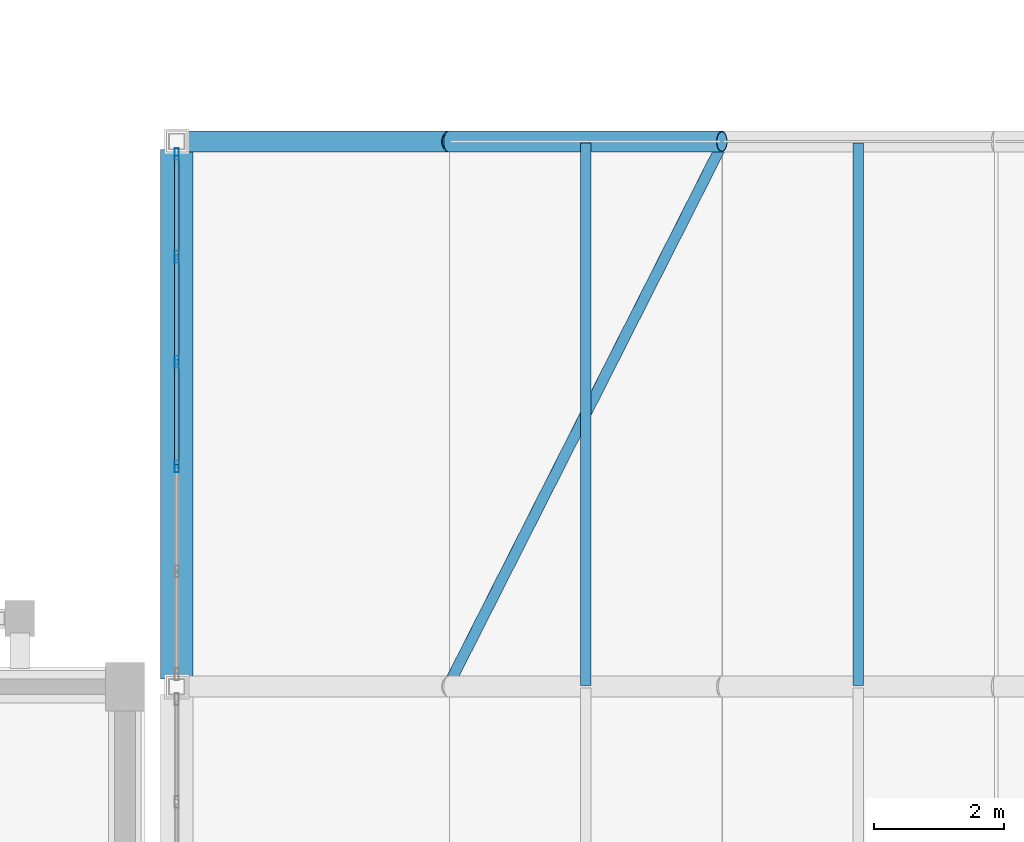
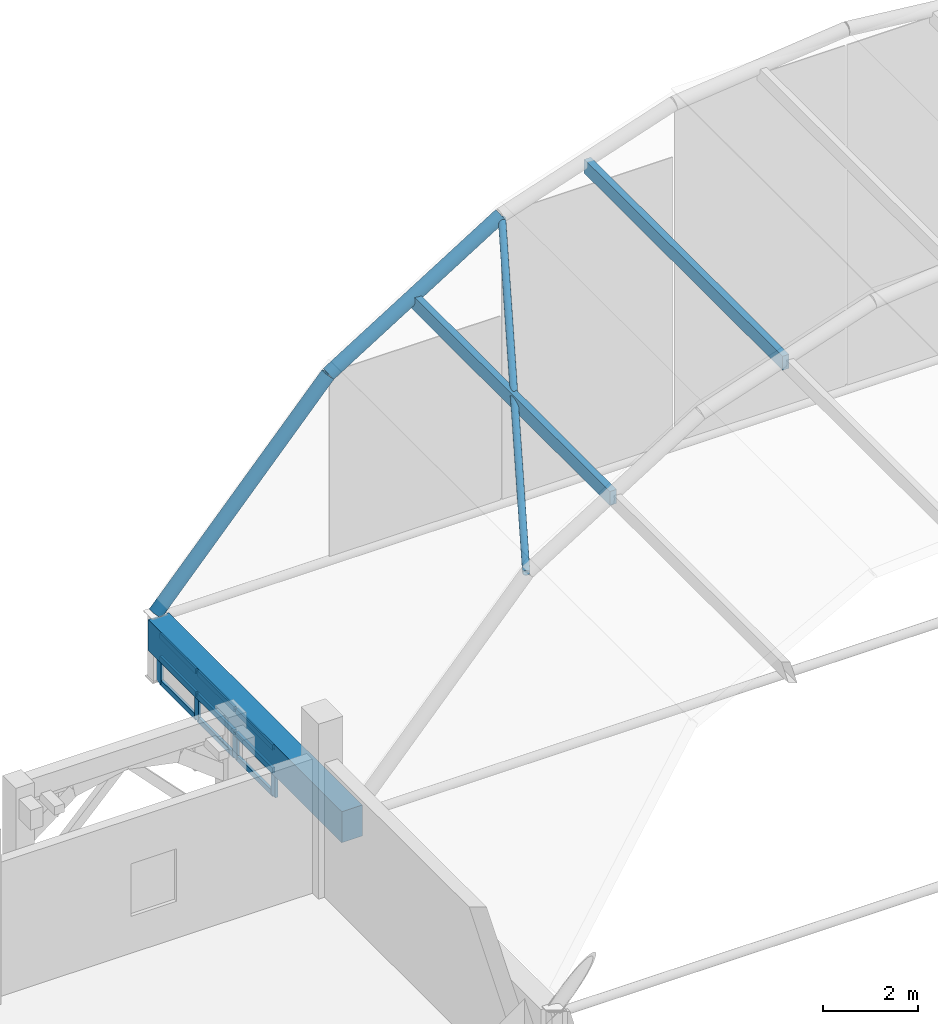
# One storey, part 65 of 114: 16 members, 3 beams, 1 element without a shape of its own.
"""IFC4 building model written with IfcOpenShell, lengths in metres."""

from ifc_helpers import new_model, si_unit, direction, frame, origin, origin_2d, place, context, subcontext, project, spatial, rectangle, hollow_rectangle, hollow_circle, extrude, material, layer, layer_set, material_profile, profile_set, type_object, element, aggregate, save


model = new_model("IFC4")

# Units and contexts
model_context = context("Model", 3, precision=1e-05, world=origin(), true_north=direction((0.0, 1.0)))
body_context = subcontext(model_context, "Body", "Model", "MODEL_VIEW")
ifc_project = project(units=[si_unit("LENGTHUNIT", "METRE"), si_unit("AREAUNIT", "SQUARE_METRE"), si_unit("VOLUMEUNIT", "CUBIC_METRE"), si_unit("PLANEANGLEUNIT", "RADIAN"), si_unit("MASSUNIT", "GRAM", prefix="KILO")], contexts=[model_context])

# Site, building, storey
site_placement = place(None, origin())
site = spatial("IfcSite", under=ifc_project, at=site_placement, CompositionType="ELEMENT")
building_placement = place(site_placement, origin())
building = spatial("IfcBuilding", under=site, at=building_placement, Name="Xazarin Passage Department Store", CompositionType="ELEMENT")
storey_placement = place(building_placement, frame((0.0, 0.0, 14.39990234375)))
storey = spatial("IfcBuildingStorey", under=building, at=storey_placement, Name="L03", CompositionType="ELEMENT", Elevation=14.39990234375)

# Curtain wall, members
ifc_material_1 = material(Name="Bronze anodised aluminium", Category="aluminium")
ifc_layer = layer(ifc_material_1, 0.159912109375)
ifc_layer_set = layer_set([ifc_layer], Name="Bronze anodised aluminium")
curtain_wall_type = type_object("IfcCurtainWallType", Name="ARC-CW-ARC1", PredefinedType="NOTDEFINED", material=ifc_layer_set)
curtain_wall_placement = place(storey_placement, origin())
curtain_wall = element("IfcCurtainWall", 1, at=curtain_wall_placement, inside=storey, type_object=curtain_wall_type, Name="L03 V2N Galleria Clerestory Curtain Wall 5W", PredefinedType="NOTDEFINED")
ifc_material_profile_1 = material_profile(ifc_material_1, hollow_rectangle(XDim=0.06494140625, YDim=0.179931640625, WallThickness=0.00390625, at=origin_2d()), Name="ALU 65x180")
ifc_profile_set_1 = profile_set([ifc_material_profile_1], Name="Bronze anodised aluminium")
member_type_1 = type_object("IfcMemberType", Name="ARC-CWM-65x180", PredefinedType="MULLION", material=ifc_profile_set_1)
member_1_placement = place(storey_placement, frame((68.0, 88.19189453125, 0.0), z_axis=(0.0, 0.0, 1.0), x_axis=(-1.0, 0.0, 0.0)))
member_1 = element("IfcMember", 2, at=member_1_placement, type_object=member_type_1, Name="CW3 mullion 3", PredefinedType="MULLION", context=body_context, shape_type="SweptSolid", body=[
    extrude(hollow_rectangle(XDim=0.06494140625, YDim=0.179931640625, WallThickness=0.00390625, at=origin_2d()), origin(), (0.0, 0.0, 1.0), 1.251708984375),
])
member_2_placement = place(storey_placement, frame((68.0, 89.80810546875, 0.0), z_axis=(0.0, 0.0, 1.0), x_axis=(-1.0, 0.0, 0.0)))
member_2 = element("IfcMember", 3, at=member_2_placement, type_object=member_type_1, Name="CW3 mullion 4", PredefinedType="MULLION", context=body_context, shape_type="SweptSolid", body=[
    extrude(hollow_rectangle(XDim=0.06494140625, YDim=0.179931640625, WallThickness=0.00390625, at=origin_2d()), origin(), (0.0, 0.0, 1.0), 1.251708984375),
])
member_3_placement = place(storey_placement, frame((68.0, 91.424072265625, 0.0), z_axis=(0.0, 0.0, 1.0), x_axis=(-1.0, 0.0, 0.0)))
member_3 = element("IfcMember", 4, at=member_3_placement, type_object=member_type_1, Name="CW3 mullion 5", PredefinedType="MULLION", context=body_context, shape_type="SweptSolid", body=[
    extrude(hollow_rectangle(XDim=0.06494140625, YDim=0.179931640625, WallThickness=0.00390625, at=origin_2d()), origin(), (0.0, 0.0, 1.0), 1.251708984375),
])
member_4_placement = place(storey_placement, frame((68.0, 93.007568359375, 0.0), z_axis=(0.0, 0.0, 1.0), x_axis=(-1.0, 0.0, 0.0)))
member_4 = element("IfcMember", 5, at=member_4_placement, type_object=member_type_1, Name="CW3 mullion 6", PredefinedType="MULLION", context=body_context, shape_type="SweptSolid", body=[
    extrude(hollow_rectangle(XDim=0.06494140625, YDim=0.179931640625, WallThickness=0.00390625, at=origin_2d()), origin(), (0.0, 0.0, 1.0), 1.251708984375),
])
ifc_material_profile_2 = material_profile(ifc_material_1, hollow_rectangle(XDim=0.06494140625, YDim=0.139892578125, WallThickness=0.00390625, at=origin_2d()), Name="ALU 65x140")
ifc_profile_set_2 = profile_set([ifc_material_profile_2], Name="Bronze anodised aluminium")
member_type_2 = type_object("IfcMemberType", Name="ARC-CWT-65x140", PredefinedType="USERDEFINED", material=ifc_profile_set_2)
member_5_placement = place(storey_placement, frame((68.0, 88.224609375, 0.03271484375), z_axis=(0.0, 1.0, 0.0), x_axis=(-1.0, 0.0, 0.0)))
member_5 = element("IfcMember", 6, at=member_5_placement, type_object=member_type_2, Name="CW3 transom 3.1", ObjectType="TRANSOM", PredefinedType="USERDEFINED", context=body_context, shape_type="SweptSolid", body=[
    extrude(hollow_rectangle(XDim=0.06494140625, YDim=0.139892578125, WallThickness=0.00390625, at=origin_2d()), origin(), (0.0, 0.0, 1.0), 1.55078125),
])
member_6_placement = place(storey_placement, frame((68.0, 88.224609375, 0.6259765625), z_axis=(0.0, 1.0, 0.0), x_axis=(-1.0, 0.0, 0.0)))
member_6 = element("IfcMember", 7, at=member_6_placement, type_object=member_type_2, Name="CW3 transom 3.2", ObjectType="TRANSOM", PredefinedType="USERDEFINED", context=body_context, shape_type="SweptSolid", body=[
    extrude(hollow_rectangle(XDim=0.06494140625, YDim=0.139892578125, WallThickness=0.00390625, at=origin_2d()), origin(), (0.0, 0.0, 1.0), 1.55078125),
])
member_7_placement = place(storey_placement, frame((68.0, 88.224609375, 1.21923828125), z_axis=(0.0, 1.0, 0.0), x_axis=(-1.0, 0.0, 0.0)))
member_7 = element("IfcMember", 8, at=member_7_placement, type_object=member_type_2, Name="CW3 transom 3.3", ObjectType="TRANSOM", PredefinedType="USERDEFINED", context=body_context, shape_type="SweptSolid", body=[
    extrude(hollow_rectangle(XDim=0.06494140625, YDim=0.139892578125, WallThickness=0.00390625, at=origin_2d()), origin(), (0.0, 0.0, 1.0), 1.55078125),
])
member_8_placement = place(storey_placement, frame((68.0, 89.840576171875, 0.03271484375), z_axis=(0.0, 1.0, 0.0), x_axis=(-1.0, 0.0, 0.0)))
member_8 = element("IfcMember", 9, at=member_8_placement, type_object=member_type_2, Name="CW3 transom 4.1", ObjectType="TRANSOM", PredefinedType="USERDEFINED", context=body_context, shape_type="SweptSolid", body=[
    extrude(hollow_rectangle(XDim=0.06494140625, YDim=0.139892578125, WallThickness=0.00390625, at=origin_2d()), origin(), (0.0, 0.0, 1.0), 1.551025390625),
])
member_9_placement = place(storey_placement, frame((68.0, 89.840576171875, 0.6259765625), z_axis=(0.0, 1.0, 0.0), x_axis=(-1.0, 0.0, 0.0)))
member_9 = element("IfcMember", 10, at=member_9_placement, type_object=member_type_2, Name="CW3 transom 4.2", ObjectType="TRANSOM", PredefinedType="USERDEFINED", context=body_context, shape_type="SweptSolid", body=[
    extrude(hollow_rectangle(XDim=0.06494140625, YDim=0.139892578125, WallThickness=0.00390625, at=origin_2d()), origin(), (0.0, 0.0, 1.0), 1.551025390625),
])
member_10_placement = place(storey_placement, frame((68.0, 89.840576171875, 1.21923828125), z_axis=(0.0, 1.0, 0.0), x_axis=(-1.0, 0.0, 0.0)))
member_10 = element("IfcMember", 11, at=member_10_placement, type_object=member_type_2, Name="CW3 transom 4.3", ObjectType="TRANSOM", PredefinedType="USERDEFINED", context=body_context, shape_type="SweptSolid", body=[
    extrude(hollow_rectangle(XDim=0.06494140625, YDim=0.139892578125, WallThickness=0.00390625, at=origin_2d()), origin(), (0.0, 0.0, 1.0), 1.551025390625),
])
member_11_placement = place(storey_placement, frame((68.0, 91.45654296875, 0.03271484375), z_axis=(0.0, 1.0, 0.0), x_axis=(-1.0, 0.0, 0.0)))
member_11 = element("IfcMember", 12, at=member_11_placement, type_object=member_type_2, Name="CW3 transom 5.1", ObjectType="TRANSOM", PredefinedType="USERDEFINED", context=body_context, shape_type="SweptSolid", body=[
    extrude(hollow_rectangle(XDim=0.06494140625, YDim=0.139892578125, WallThickness=0.00390625, at=origin_2d()), origin(), (0.0, 0.0, 1.0), 1.5185546875),
])
member_12_placement = place(storey_placement, frame((68.0, 91.45654296875, 0.6259765625), z_axis=(0.0, 1.0, 0.0), x_axis=(-1.0, 0.0, 0.0)))
member_12 = element("IfcMember", 13, at=member_12_placement, type_object=member_type_2, Name="CW3 transom 5.2", ObjectType="TRANSOM", PredefinedType="USERDEFINED", context=body_context, shape_type="SweptSolid", body=[
    extrude(hollow_rectangle(XDim=0.06494140625, YDim=0.139892578125, WallThickness=0.00390625, at=origin_2d()), origin(), (0.0, 0.0, 1.0), 1.5185546875),
])
member_13_placement = place(storey_placement, frame((68.0, 91.45654296875, 1.21923828125), z_axis=(0.0, 1.0, 0.0), x_axis=(-1.0, 0.0, 0.0)))
member_13 = element("IfcMember", 14, at=member_13_placement, type_object=member_type_2, Name="CW3 transom 5.3", ObjectType="TRANSOM", PredefinedType="USERDEFINED", context=body_context, shape_type="SweptSolid", body=[
    extrude(hollow_rectangle(XDim=0.06494140625, YDim=0.139892578125, WallThickness=0.00390625, at=origin_2d()), origin(), (0.0, 0.0, 1.0), 1.5185546875),
])
aggregate(curtain_wall, [member_1, member_2, member_3, member_4, member_5, member_6, member_7, member_8, member_9, member_10, member_11, member_12, member_13])

# Beams
ifc_material_2 = material(Name="Steel S355", Category="steel")
ifc_material_profile_3 = material_profile(ifc_material_2, hollow_circle(Radius=0.161865234375, WallThickness=0.01611328125, at=origin_2d()), Name="CHS 323.9x16")
ifc_profile_set_3 = profile_set([ifc_material_profile_3], Name="Steel S355")
beam_type_1 = type_object("IfcBeamType", Name="STR-BM-AR324", PredefinedType="BEAM", material=ifc_profile_set_3)
beam_1_placement = place(storey_placement, frame((68.0, 93.199951171875, 1.65185546875), z_axis=(0.667891545417, 0.0, 0.74425861336), x_axis=(0.0, 1.0, 0.0)))
element("IfcBeam", 15, at=beam_1_placement, inside=storey, type_object=beam_type_1, Name="V2N Primary Arch Rib 6.1", PredefinedType="BEAM", context=body_context, shape_type="SweptSolid", body=[
    extrude(hollow_circle(Radius=0.161865234375, WallThickness=0.01611328125, at=origin_2d()), origin(), (0.0, 0.0, 1.0), 6.288330078125),
])
beam_2_placement = place(storey_placement, frame((72.199951171875, 93.199951171875, 6.33203125), z_axis=(0.848571440894, 0.0, 0.529080815848), x_axis=(0.0, 1.0, 0.0)))
element("IfcBeam", 16, at=beam_2_placement, inside=storey, type_object=beam_type_1, Name="V2N Primary Arch Rib 6.2", PredefinedType="BEAM", context=body_context, shape_type="SweptSolid", body=[
    extrude(hollow_circle(Radius=0.161865234375, WallThickness=0.01611328125, at=origin_2d()), origin(), (0.0, 0.0, 1.0), 4.949462890625),
])
ifc_material_3 = material(Name="Concrete C40/50", Category="concrete")
ifc_material_profile_4 = material_profile(ifc_material_3, rectangle(XDim=0.5, YDim=0.800048828125, at=origin_2d()), Name="RC 500x800")
ifc_profile_set_4 = profile_set([ifc_material_profile_4], Name="Concrete C40/50")
beam_type_2 = type_object("IfcBeamType", Name="STR-BM-RG500x800", PredefinedType="BEAM", material=ifc_profile_set_4)
beam_3_placement = place(storey_placement, frame((68.0, 84.919921875, 1.251708984375), z_axis=(0.0, 1.0, 0.0), x_axis=(-1.0, 0.0, 0.0)))
element("IfcBeam", 17, at=beam_3_placement, inside=storey, type_object=beam_type_2, Name="V2N Springing Ring Girder W-5", PredefinedType="BEAM", context=body_context, shape_type="SweptSolid", body=[
    extrude(rectangle(XDim=0.5, YDim=0.800048828125, at=origin_2d()), origin(), (0.0, 0.0, 1.0), 8.16015625),
])

# Members
ifc_material_profile_5 = material_profile(ifc_material_2, hollow_circle(Radius=0.084228515625, WallThickness=0.010009765625, at=origin_2d()), Name="CHS 168.3x10")
ifc_profile_set_5 = profile_set([ifc_material_profile_5], Name="Steel S355")
member_type_3 = type_object("IfcMemberType", Name="STR-MEM-BR168", PredefinedType="BRACE", material=ifc_profile_set_5)
member_14_placement = place(storey_placement, frame((72.199951171875, 84.85009765625, 6.281982421875), z_axis=(0.434619022897, 0.858879747858, 0.270983179654), x_axis=(-0.892264648106, 0.451512788015, 0.0)))
element("IfcMember", 18, at=member_14_placement, inside=storey, type_object=member_type_3, Name="V2N Gridshell Diagonal Brace 5.1", PredefinedType="BRACE", context=body_context, shape_type="SweptSolid", body=[
    extrude(hollow_circle(Radius=0.084228515625, WallThickness=0.010009765625, at=origin_2d()), origin(), (0.0, 0.0, 1.0), 9.66357421875),
])
ifc_material_4 = material(Name="Glulam GL28h", Category="wood")
ifc_material_profile_6 = material_profile(ifc_material_4, rectangle(XDim=0.159912109375, YDim=0.360107421875, at=origin_2d()), Name="GL28h 160x360")
ifc_profile_set_6 = profile_set([ifc_material_profile_6], Name="Glulam GL28h")
member_type_4 = type_object("IfcMemberType", Name="STR-MEM-GL360", PredefinedType="PURLIN", material=ifc_profile_set_6)
for number, where, z_axis, x_axis, name in (
    (19, (74.300048828125, 84.820068359375, 7.50341796875), (0.0, 1.0, 0.0), (-1.0, 0.0, 0.0), "V2N Glulam Gridshell Purlin 5.2"),
    (20, (78.5, 84.820068359375, 9.514404296875), (0.0, 1.0, 0.0), (-1.0, 0.0, 0.0), "V2N Glulam Gridshell Purlin 5.3"),
):
    element("IfcMember", number, at=place(storey_placement, frame(where, z_axis=z_axis, x_axis=x_axis)), inside=storey, type_object=member_type_4, Name=name, PredefinedType="PURLIN", context=body_context, shape_type="SweptSolid", body=[
        extrude(rectangle(XDim=0.159912109375, YDim=0.360107421875, at=origin_2d()), origin(), (0.0, 0.0, 1.0), 8.35986328125),
    ])

save(model, "model.ifc")
